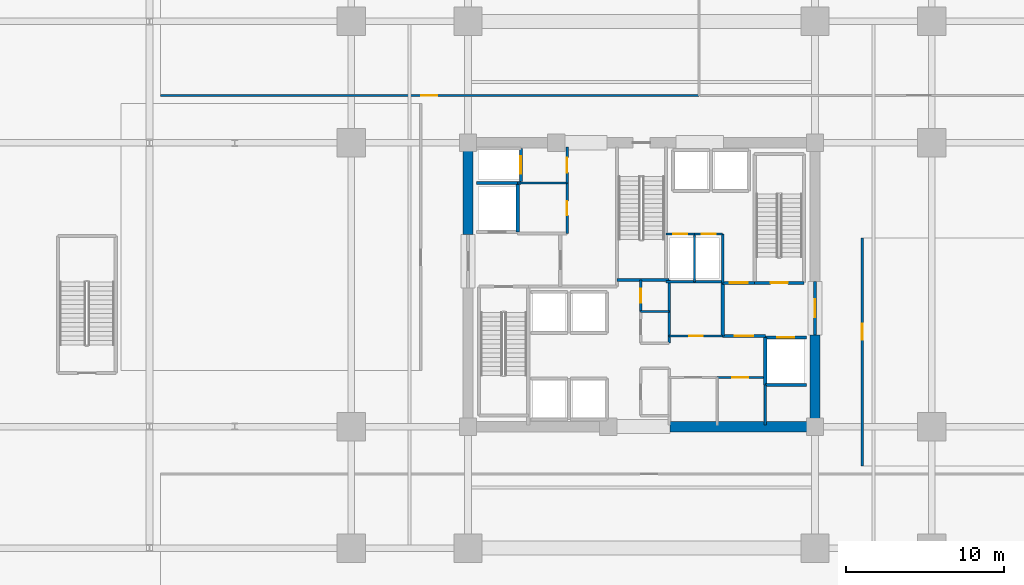
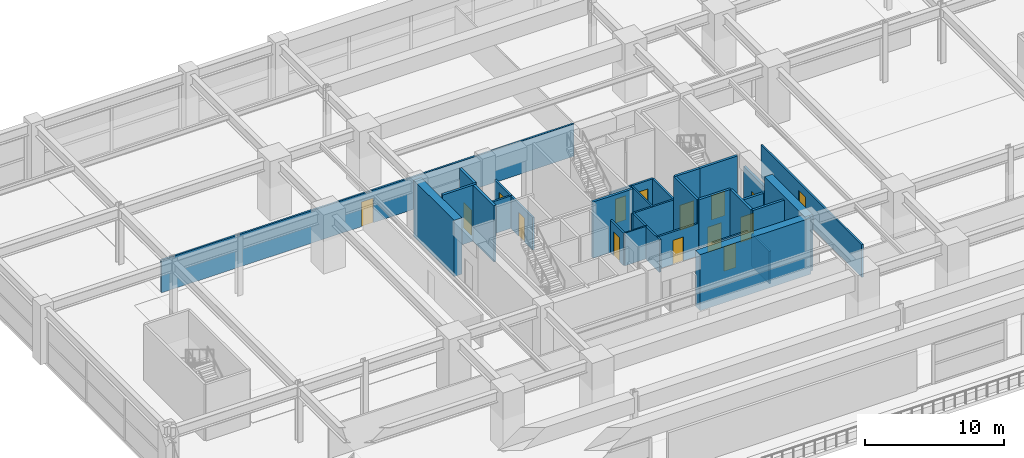
# One storey, part 37 of 45: 31 walls, 15 doors, 15 openings.
"""IFC4 building model written with IfcOpenShell, lengths in metres."""

from ifc_helpers import new_model, si_unit, direction, frame, frame_2d, origin, place, context, subcontext, project, spatial, rectangle, extrude, material, layer, layer_set, type_object, element, fill, save


model = new_model("IFC4")

# Units and contexts
model_context = context("Model", 3, precision=1e-05, world=origin(), true_north=direction((0.0, 1.0)))
body_context = subcontext(model_context, "Body", "Model", "MODEL_VIEW")
ifc_project = project(units=[si_unit("LENGTHUNIT", "METRE"), si_unit("AREAUNIT", "SQUARE_METRE"), si_unit("VOLUMEUNIT", "CUBIC_METRE"), si_unit("PLANEANGLEUNIT", "RADIAN"), si_unit("MASSUNIT", "GRAM", prefix="KILO")], contexts=[model_context])

# Site, building, storey
site_placement = place(None, origin())
site = spatial("IfcSite", under=ifc_project, at=site_placement, CompositionType="ELEMENT")
building_placement = place(site_placement, origin())
building = spatial("IfcBuilding", under=site, at=building_placement, Name="Kovane Verandah Tower", CompositionType="ELEMENT")
storey_placement = place(building_placement, frame((0.0, 0.0, 6.0)))
storey = spatial("IfcBuildingStorey", under=building, at=storey_placement, Name="L01", CompositionType="ELEMENT", Elevation=6.0)

# Wall
ifc_material_1 = material(Name="Fire-Rated Gypsum Stud Partition", Category="gypsum")
ifc_layer_1 = layer(ifc_material_1, 0.14990234375)
ifc_layer_set_1 = layer_set([ifc_layer_1], Name="Fire-Rated Gypsum Stud Partition")
wall_type_1 = type_object("IfcWallType", Name="WL-COR-150", PredefinedType="PARTITIONING", material=ifc_layer_set_1)
wall_1_placement = place(storey_placement, frame((41.760009765625, 23.800048828125, 0.0), z_axis=(0.0, 0.0, 1.0), x_axis=(0.0, 1.0, 0.0)))
element("IfcWall", 1, at=wall_1_placement, inside=storey, type_object=wall_type_1, Name="L01 Central Core Strip Upper East Wall", PredefinedType="PARTITIONING", context=body_context, shape_type="SweptSolid", body=[
    extrude(rectangle(XDim=4.0, YDim=0.14990234375, at=frame_2d((2.0, 0.0))), origin(), (0.0, 0.0, 1.0), 2.85009765625),
])

# Wall, opening, door
wall_2_placement = place(storey_placement, frame((39.949951171875, 25.800048828125, 0.0), z_axis=(0.0, 0.0, 1.0), x_axis=(0.0, 1.0, 0.0)))
wall_2 = element("IfcWall", 2, at=wall_2_placement, inside=storey, type_object=wall_type_1, Name="L01 Electrical Riser Room Partition", PredefinedType="PARTITIONING", context=body_context, shape_type="SweptSolid", body=[
    extrude(rectangle(XDim=2.0, YDim=0.14990234375, at=frame_2d((1.0, 0.0))), origin(), (0.0, 0.0, 1.0), 2.85009765625),
])
opening_1_placement = place(wall_2_placement, frame((0.56005859375, 0.0, 0.0)))
opening_1 = element("IfcOpeningElement", 3, at=opening_1_placement, cuts=wall_2, Name="Opening DR-L01-023", PredefinedType="OPENING", context=body_context, shape_type="SweptSolid", body=[
    extrude(rectangle(XDim=0.8798828125, YDim=2.10009765625, at=frame_2d((0.43994140625, 1.050048828125))), frame((0.0, 0.074951171875, 0.0), z_axis=(0.0, -1.0, 0.0), x_axis=(1.0, 0.0, 0.0)), (0.0, 0.0, 1.0), 0.14990234375),
])
ifc_material_2 = material(Name="Fire-Rated Steel Riser Access Door", Category="steel")
door_type_1 = type_object("IfcDoorType", Name="DR-RISER-880", OperationType="SINGLE_SWING_LEFT", PredefinedType="DOOR", material=ifc_material_2)
door_1_placement = place(opening_1_placement, origin())
door_1 = element("IfcDoor", 4, at=door_1_placement, inside=storey, type_object=door_type_1, Name="L01 Electrical Riser Room Door", OperationType="SINGLE_SWING_LEFT", OverallHeight=2.10009765625, OverallWidth=0.8798828125, PredefinedType="DOOR", context=body_context, shape_type="SweptSolid", body=[
    extrude(rectangle(XDim=0.8798828125, YDim=2.10009765625, at=frame_2d((0.43994140625, 1.050048828125))), frame((0.0, 0.02490234375, 0.0), z_axis=(0.0, -1.0, 0.0), x_axis=(1.0, 0.0, 0.0)), (0.0, 0.0, 1.0), 0.050048828125),
])
fill(opening_1, door_1)

# Wall
wall_3_placement = place(storey_placement, frame((32.14990234375, 33.949951171875, 0.0), z_axis=(0.0, 0.0, 1.0), x_axis=(1.0, 0.0, 0.0)))
element("IfcWall", 5, at=wall_3_placement, inside=storey, type_object=wall_type_1, Name="L01 Goods Lift Lobby South Wall", PredefinedType="PARTITIONING", context=body_context, shape_type="SweptSolid", body=[
    extrude(rectangle(XDim=3.130126953125, YDim=0.14990234375, at=frame_2d((1.56494140625, 0.0))), origin(), (0.0, 0.0, 1.0), 2.85009765625),
])

# Wall, opening, door
wall_4_placement = place(storey_placement, frame((35.280029296875, 33.949951171875, 0.0), z_axis=(0.0, 0.0, 1.0), x_axis=(0.0, 1.0, 0.0)))
wall_4 = element("IfcWall", 6, at=wall_4_placement, inside=storey, type_object=wall_type_1, Name="L01 Goods Lift Lobby East Fire Partition", PredefinedType="PARTITIONING", context=body_context, shape_type="SweptSolid", body=[
    extrude(rectangle(XDim=2.27001953125, YDim=0.14990234375, at=frame_2d((1.135009765625, 0.0))), origin(), (0.0, 0.0, 1.0), 2.85009765625),
])
opening_2_placement = place(wall_4_placement, frame((0.659912109375, 0.0, 0.0)))
opening_2 = element("IfcOpeningElement", 7, at=opening_2_placement, cuts=wall_4, Name="Opening DR-L01-006", PredefinedType="OPENING", context=body_context, shape_type="SweptSolid", body=[
    extrude(rectangle(XDim=0.949951171875, YDim=2.14990234375, at=frame_2d((0.47509765625, 1.074951171875))), frame((0.0, 0.074951171875, 0.0), z_axis=(0.0, -1.0, 0.0), x_axis=(1.0, 0.0, 0.0)), (0.0, 0.0, 1.0), 0.14990234375),
])
ifc_material_3 = material(Name="Fire-Rated Steel Refuge and Lobby Door", Category="steel")
door_type_2 = type_object("IfcDoorType", Name="DR-FIRE-950", OperationType="SINGLE_SWING_LEFT", PredefinedType="DOOR", material=ifc_material_3)
door_2_placement = place(opening_2_placement, origin())
door_2 = element("IfcDoor", 8, at=door_2_placement, inside=storey, type_object=door_type_2, Name="L01 Goods Lift Lobby Fire Door", OperationType="SINGLE_SWING_RIGHT", OverallHeight=2.14990234375, OverallWidth=0.949951171875, PredefinedType="DOOR", context=body_context, shape_type="SweptSolid", body=[
    extrude(rectangle(XDim=0.949951171875, YDim=2.14990234375, at=frame_2d((0.47509765625, 1.074951171875))), frame((0.0, 0.02490234375, 0.0), z_axis=(0.0, -1.0, 0.0), x_axis=(1.0, 0.0, 0.0)), (0.0, 0.0, 1.0), 0.050048828125),
])
fill(opening_2, door_2)

wall_5_placement = place(storey_placement, frame((35.280029296875, 30.75, 0.0), z_axis=(0.0, 0.0, 1.0), x_axis=(0.0, 1.0, 0.0)))
wall_5 = element("IfcWall", 9, at=wall_5_placement, inside=storey, type_object=wall_type_1, Name="L01 Accessible Unisex Toilet Partition", PredefinedType="PARTITIONING", context=body_context, shape_type="SweptSolid", body=[
    extrude(rectangle(XDim=3.199951171875, YDim=0.14990234375, at=frame_2d((1.60009765625, 0.0))), origin(), (0.0, 0.0, 1.0), 2.85009765625),
])
opening_3_placement = place(wall_5_placement, frame((1.14990234375, 0.0, 0.0)))
opening_3 = element("IfcOpeningElement", 10, at=opening_3_placement, cuts=wall_5, Name="Opening DR-L01-025", PredefinedType="OPENING", context=body_context, shape_type="SweptSolid", body=[
    extrude(rectangle(XDim=0.89990234375, YDim=2.10009765625, at=frame_2d((0.449951171875, 1.050048828125))), frame((0.0, 0.074951171875, 0.0), z_axis=(0.0, -1.0, 0.0), x_axis=(1.0, 0.0, 0.0)), (0.0, 0.0, 1.0), 0.14990234375),
])
ifc_material_4 = material(Name="Moisture-Resistant Laminate Washroom Door", Category="wood")
door_type_3 = type_object("IfcDoorType", Name="DR-WC-900", OperationType="SINGLE_SWING_LEFT", PredefinedType="DOOR", material=ifc_material_4)
door_3_placement = place(opening_3_placement, origin())
door_3 = element("IfcDoor", 11, at=door_3_placement, inside=storey, type_object=door_type_3, Name="L01 Accessible Unisex Toilet Door", OperationType="SINGLE_SWING_LEFT", OverallHeight=2.10009765625, OverallWidth=0.89990234375, PredefinedType="DOOR", context=body_context, shape_type="SweptSolid", body=[
    extrude(rectangle(XDim=0.89990234375, YDim=2.10009765625, at=frame_2d((0.449951171875, 1.050048828125))), frame((0.0, 0.02490234375, 0.0), z_axis=(0.0, -1.0, 0.0), x_axis=(1.0, 0.0, 0.0)), (0.0, 0.0, 1.0), 0.050048828125),
])
fill(opening_3, door_3)

# Walls
wall_6_placement = place(storey_placement, frame((41.56005859375, 27.679931640625, 0.0), z_axis=(0.0, 0.0, 1.0), x_axis=(1.0, 0.0, 0.0)))
element("IfcWall", 12, at=wall_6_placement, inside=storey, type_object=wall_type_1, Name="L01 East Core Service Riser South Wall", PredefinedType="PARTITIONING", context=body_context, shape_type="SweptSolid", body=[
    extrude(rectangle(XDim=3.58984375, YDim=0.14990234375, at=frame_2d((1.794921875, 0.0))), origin(), (0.0, 0.0, 1.0), 2.85009765625),
])
wall_7_placement = place(storey_placement, frame((47.85009765625, 18.60009765625, 0.0), z_axis=(0.0, 0.0, 1.0), x_axis=(0.0, 1.0, 0.0)))
element("IfcWall", 13, at=wall_7_placement, inside=storey, type_object=wall_type_1, Name="L01 East Core Support East Wall", PredefinedType="PARTITIONING", context=body_context, shape_type="SweptSolid", body=[
    extrude(rectangle(XDim=2.539794921875, YDim=0.14990234375, at=frame_2d((1.27001953125, 0.0))), origin(), (0.0, 0.0, 1.0), 2.85009765625),
])

# Wall, opening, door
wall_8_placement = place(storey_placement, frame((44.800048828125, 21.6201171875, 0.0), z_axis=(0.0, 0.0, 1.0), x_axis=(1.0, 0.0, 0.0)))
wall_8 = element("IfcWall", 14, at=wall_8_placement, inside=storey, type_object=wall_type_1, Name="L01 East IT Server Room Partition", PredefinedType="PARTITIONING", context=body_context, shape_type="SweptSolid", body=[
    extrude(rectangle(XDim=2.93994140625, YDim=0.14990234375, at=frame_2d((1.469970703125, 0.0))), origin(), (0.0, 0.0, 1.0), 2.85009765625),
])
opening_4_placement = place(wall_8_placement, frame((0.969970703125, 0.0, 0.0)))
opening_4 = element("IfcOpeningElement", 15, at=opening_4_placement, cuts=wall_8, Name="Opening DR-L01-016", PredefinedType="OPENING", context=body_context, shape_type="SweptSolid", body=[
    extrude(rectangle(XDim=1.0, YDim=2.14990234375, at=frame_2d((0.5, 1.074951171875))), frame((0.0, 0.074951171875, 0.0), z_axis=(0.0, -1.0, 0.0), x_axis=(1.0, 0.0, 0.0)), (0.0, 0.0, 1.0), 0.14990234375),
])
ifc_material_5 = material(Name="FSC Spotted-Gum Timber Fire-Rated Office Door", Category="wood")
door_type_4 = type_object("IfcDoorType", Name="DR-OFF-1000", OperationType="SINGLE_SWING_LEFT", PredefinedType="DOOR", material=ifc_material_5)
door_4_placement = place(opening_4_placement, origin())
door_4 = element("IfcDoor", 16, at=door_4_placement, inside=storey, type_object=door_type_4, Name="L01 East IT Server Room Door", OperationType="SINGLE_SWING_LEFT", OverallHeight=2.14990234375, OverallWidth=1.0, PredefinedType="DOOR", context=body_context, shape_type="SweptSolid", body=[
    extrude(rectangle(XDim=1.0, YDim=2.14990234375, at=frame_2d((0.5, 1.074951171875))), frame((0.0, 0.02490234375, 0.0), z_axis=(0.0, -1.0, 0.0), x_axis=(1.0, 0.0, 0.0)), (0.0, 0.0, 1.0), 0.050048828125),
])
fill(opening_4, door_4)

wall_9_placement = place(storey_placement, frame((41.760009765625, 24.25, 0.0), z_axis=(0.0, 0.0, 1.0), x_axis=(1.0, 0.0, 0.0)))
wall_9 = element("IfcWall", 17, at=wall_9_placement, inside=storey, type_object=wall_type_1, Name="L01 Cleaner Store Partition", PredefinedType="PARTITIONING", context=body_context, shape_type="SweptSolid", body=[
    extrude(rectangle(XDim=3.389892578125, YDim=0.14990234375, at=frame_2d((1.69482421875, 0.0))), origin(), (0.0, 0.0, 1.0), 2.85009765625),
])
opening_5_placement = place(wall_9_placement, frame((1.2548828125, 0.0, 0.0)))
opening_5 = element("IfcOpeningElement", 18, at=opening_5_placement, cuts=wall_9, Name="Opening DR-L01-017", PredefinedType="OPENING", context=body_context, shape_type="SweptSolid", body=[
    extrude(rectangle(XDim=0.8798828125, YDim=2.10009765625, at=frame_2d((0.43994140625, 1.050048828125))), frame((0.0, 0.074951171875, 0.0), z_axis=(0.0, -1.0, 0.0), x_axis=(1.0, 0.0, 0.0)), (0.0, 0.0, 1.0), 0.14990234375),
])
door_5_placement = place(opening_5_placement, origin())
door_5 = element("IfcDoor", 19, at=door_5_placement, inside=storey, type_object=door_type_1, Name="L01 Cleaner Store Door", OperationType="SINGLE_SWING_RIGHT", OverallHeight=2.10009765625, OverallWidth=0.8798828125, PredefinedType="DOOR", context=body_context, shape_type="SweptSolid", body=[
    extrude(rectangle(XDim=0.8798828125, YDim=2.10009765625, at=frame_2d((0.43994140625, 1.050048828125))), frame((0.0, 0.02490234375, 0.0), z_axis=(0.0, -1.0, 0.0), x_axis=(1.0, 0.0, 0.0)), (0.0, 0.0, 1.0), 0.050048828125),
])
fill(opening_5, door_5)

# Wall
wall_10_placement = place(storey_placement, frame((45.14990234375, 27.6201171875, 0.0), z_axis=(0.0, 0.0, 1.0), x_axis=(0.0, 1.0, 0.0)))
element("IfcWall", 20, at=wall_10_placement, inside=storey, type_object=wall_type_1, Name="L01 East Core Service Riser East Wall", PredefinedType="PARTITIONING", context=body_context, shape_type="SweptSolid", body=[
    extrude(rectangle(XDim=3.099853515625, YDim=0.14990234375, at=frame_2d((1.5498046875, 0.0))), origin(), (0.0, 0.0, 1.0), 2.85009765625),
])

# Wall, opening, door
wall_11_placement = place(storey_placement, frame((41.56005859375, 30.719970703125, 0.0), z_axis=(0.0, 0.0, 1.0), x_axis=(1.0, 0.0, 0.0)))
wall_11 = element("IfcWall", 21, at=wall_11_placement, inside=storey, type_object=wall_type_1, Name="L01 Chilled Water Riser Room Partition", PredefinedType="PARTITIONING", context=body_context, shape_type="SweptSolid", body=[
    extrude(rectangle(XDim=1.800048828125, YDim=0.14990234375, at=frame_2d((0.89990234375, 0.0))), origin(), (0.0, 0.0, 1.0), 2.85009765625),
])
opening_6_placement = place(wall_11_placement, frame((0.4599609375, 0.0, 0.0)))
opening_6 = element("IfcOpeningElement", 22, at=opening_6_placement, cuts=wall_11, Name="Opening DR-L01-018", PredefinedType="OPENING", context=body_context, shape_type="SweptSolid", body=[
    extrude(rectangle(XDim=0.8798828125, YDim=2.10009765625, at=frame_2d((0.43994140625, 1.050048828125))), frame((0.0, 0.074951171875, 0.0), z_axis=(0.0, -1.0, 0.0), x_axis=(1.0, 0.0, 0.0)), (0.0, 0.0, 1.0), 0.14990234375),
])
door_6_placement = place(opening_6_placement, origin())
door_6 = element("IfcDoor", 23, at=door_6_placement, inside=storey, type_object=door_type_1, Name="L01 Chilled Water Riser Room Door", OperationType="SINGLE_SWING_LEFT", OverallHeight=2.10009765625, OverallWidth=0.8798828125, PredefinedType="DOOR", context=body_context, shape_type="SweptSolid", body=[
    extrude(rectangle(XDim=0.8798828125, YDim=2.10009765625, at=frame_2d((0.43994140625, 1.050048828125))), frame((0.0, 0.02490234375, 0.0), z_axis=(0.0, -1.0, 0.0), x_axis=(1.0, 0.0, 0.0)), (0.0, 0.0, 1.0), 0.050048828125),
])
fill(opening_6, door_6)

wall_12_placement = place(storey_placement, frame((43.360107421875, 30.719970703125, 0.0), z_axis=(0.0, 0.0, 1.0), x_axis=(1.0, 0.0, 0.0)))
wall_12 = element("IfcWall", 24, at=wall_12_placement, inside=storey, type_object=wall_type_1, Name="L01 Smoke Extract Duct Room Partition", PredefinedType="PARTITIONING", context=body_context, shape_type="SweptSolid", body=[
    extrude(rectangle(XDim=1.789794921875, YDim=0.14990234375, at=frame_2d((0.89501953125, 0.0))), origin(), (0.0, 0.0, 1.0), 2.85009765625),
])
opening_7_placement = place(wall_12_placement, frame((0.455078125, 0.0, 0.0)))
opening_7 = element("IfcOpeningElement", 25, at=opening_7_placement, cuts=wall_12, Name="Opening DR-L01-019", PredefinedType="OPENING", context=body_context, shape_type="SweptSolid", body=[
    extrude(rectangle(XDim=0.8798828125, YDim=2.10009765625, at=frame_2d((0.43994140625, 1.050048828125))), frame((0.0, 0.074951171875, 0.0), z_axis=(0.0, -1.0, 0.0), x_axis=(1.0, 0.0, 0.0)), (0.0, 0.0, 1.0), 0.14990234375),
])
door_7_placement = place(opening_7_placement, origin())
door_7 = element("IfcDoor", 26, at=door_7_placement, inside=storey, type_object=door_type_1, Name="L01 Smoke Extract Duct Room Door", OperationType="SINGLE_SWING_RIGHT", OverallHeight=2.10009765625, OverallWidth=0.8798828125, PredefinedType="DOOR", context=body_context, shape_type="SweptSolid", body=[
    extrude(rectangle(XDim=0.8798828125, YDim=2.10009765625, at=frame_2d((0.43994140625, 1.050048828125))), frame((0.0, 0.02490234375, 0.0), z_axis=(0.0, -1.0, 0.0), x_axis=(1.0, 0.0, 0.0)), (0.0, 0.0, 1.0), 0.050048828125),
])
fill(opening_7, door_7)

wall_13_placement = place(storey_placement, frame((9.5, 39.5, 0.0), z_axis=(0.0, 0.0, 1.0), x_axis=(1.0, 0.0, 0.0)))
wall_13 = element("IfcWall", 27, at=wall_13_placement, inside=storey, type_object=wall_type_1, Name="L01 North Banking Hall Corridor Partition", PredefinedType="PARTITIONING", context=body_context, shape_type="SweptSolid", body=[
    extrude(rectangle(XDim=34.14990234375, YDim=0.14990234375, at=frame_2d((17.074951171875, 0.0))), origin(), (0.0, 0.0, 1.0), 2.85009765625),
])
opening_8_placement = place(wall_13_placement, frame((16.5400390625, 0.0, 0.0)))
opening_8 = element("IfcOpeningElement", 28, at=opening_8_placement, cuts=wall_13, Name="Opening DR-L01-020", PredefinedType="OPENING", context=body_context, shape_type="SweptSolid", body=[
    extrude(rectangle(XDim=1.0, YDim=2.14990234375, at=frame_2d((0.5, 1.074951171875))), frame((0.0, 0.074951171875, 0.0), z_axis=(0.0, -1.0, 0.0), x_axis=(1.0, 0.0, 0.0)), (0.0, 0.0, 1.0), 0.14990234375),
])
door_8_placement = place(opening_8_placement, origin())
door_8 = element("IfcDoor", 29, at=door_8_placement, inside=storey, type_object=door_type_4, Name="L01 North Banking Hall Entrance Door", OperationType="SINGLE_SWING_RIGHT", OverallHeight=2.14990234375, OverallWidth=1.0, PredefinedType="DOOR", context=body_context, shape_type="SweptSolid", body=[
    extrude(rectangle(XDim=1.0, YDim=2.14990234375, at=frame_2d((0.5, 1.074951171875))), frame((0.0, 0.02490234375, 0.0), z_axis=(0.0, -1.0, 0.0), x_axis=(1.0, 0.0, 0.0)), (0.0, 0.0, 1.0), 0.050048828125),
])
fill(opening_8, door_8)

wall_14_placement = place(storey_placement, frame((54.0, 16.0, 0.0), z_axis=(0.0, 0.0, 1.0), x_axis=(0.0, 1.0, 0.0)))
wall_14 = element("IfcWall", 30, at=wall_14_placement, inside=storey, type_object=wall_type_1, Name="L01 East Tenant Business Lounge Corridor Partition", PredefinedType="PARTITIONING", context=body_context, shape_type="SweptSolid", body=[
    extrude(rectangle(XDim=14.449951171875, YDim=0.14990234375, at=frame_2d((7.22509765625, 0.0))), origin(), (0.0, 0.0, 1.0), 2.85009765625),
])
opening_9_placement = place(wall_14_placement, frame((8.02490234375, 0.0, 0.0)))
opening_9 = element("IfcOpeningElement", 31, at=opening_9_placement, cuts=wall_14, Name="Opening DR-L01-014", PredefinedType="OPENING", context=body_context, shape_type="SweptSolid", body=[
    extrude(rectangle(XDim=1.0, YDim=2.14990234375, at=frame_2d((0.5, 1.074951171875))), frame((0.0, 0.074951171875, 0.0), z_axis=(0.0, -1.0, 0.0), x_axis=(1.0, 0.0, 0.0)), (0.0, 0.0, 1.0), 0.14990234375),
])
door_9_placement = place(opening_9_placement, origin())
door_9 = element("IfcDoor", 32, at=door_9_placement, inside=storey, type_object=door_type_4, Name="L01 East Tenant Business Lounge Entrance Door", OperationType="SINGLE_SWING_LEFT", OverallHeight=2.14990234375, OverallWidth=1.0, PredefinedType="DOOR", context=body_context, shape_type="SweptSolid", body=[
    extrude(rectangle(XDim=1.0, YDim=2.14990234375, at=frame_2d((0.5, 1.074951171875))), frame((0.0, 0.02490234375, 0.0), z_axis=(0.0, -1.0, 0.0), x_axis=(1.0, 0.0, 0.0)), (0.0, 0.0, 1.0), 0.050048828125),
])
fill(opening_9, door_9)

# Walls
ifc_material_6 = material(Name="Concrete C80/95", Category="concrete")
ifc_layer_2 = layer(ifc_material_6, 0.64990234375)
ifc_layer_set_2 = layer_set([ifc_layer_2], Name="Concrete C80/95")
wall_type_2 = type_object("IfcWallType", Name="WL-CORE-650", PredefinedType="SHEAR", material=ifc_layer_set_2)
wall_15_placement = place(storey_placement, frame((41.800048828125, 18.5, 0.0), z_axis=(0.0, 0.0, 1.0), x_axis=(1.0, 0.0, 0.0)))
element("IfcWall", 33, at=wall_15_placement, inside=storey, type_object=wall_type_2, Name="L01 Core Shear Wall CS-2", PredefinedType="SHEAR", context=body_context, shape_type="SweptSolid", body=[
    extrude(rectangle(XDim=9.199951171875, YDim=0.64990234375, at=frame_2d((4.60009765625, 0.0))), origin(), (0.0, 0.0, 1.0), 4.919921875),
])
for number, where, z_axis, x_axis, name in (
    (34, (29.0, 30.699951171875, 0.0), (0.0, 0.0, 1.0), (0.0, 1.0, 0.0), "L01 Core Shear Wall CW-2"),
    (35, (51.0, 18.5, 0.0), (0.0, 0.0, 1.0), (0.0, 1.0, 0.0), "L01 Core Shear Wall CE-1"),
):
    element("IfcWall", number, at=place(storey_placement, frame(where, z_axis=z_axis, x_axis=x_axis)), inside=storey, type_object=wall_type_2, Name=name, PredefinedType="SHEAR", context=body_context, shape_type="SweptSolid", body=[
        extrude(rectangle(XDim=5.800048828125, YDim=0.64990234375, at=frame_2d((2.89990234375, 0.0))), origin(), (0.0, 0.0, 1.0), 4.919921875),
    ])
ifc_material_7 = material(Name="Concrete C45/55 Fire Wall", Category="concrete")
ifc_layer_3 = layer(ifc_material_7, 0.199951171875)
ifc_layer_set_3 = layer_set([ifc_layer_3], Name="Concrete C45/55 Fire Wall")
wall_type_3 = type_object("IfcWallType", Name="WL-FFL-200", PredefinedType="PARTITIONING", material=ifc_layer_set_3)
wall_16_placement = place(storey_placement, frame((45.14990234375, 24.25, 0.0), z_axis=(0.0, 0.0, 1.0), x_axis=(0.0, 1.0, 0.0)))
element("IfcWall", 36, at=wall_16_placement, inside=storey, type_object=wall_type_3, Name="L01 East Firefighting Lobby West Fire Wall", PredefinedType="PARTITIONING", context=body_context, shape_type="SweptSolid", body=[
    extrude(rectangle(XDim=3.3701171875, YDim=0.199951171875, at=frame_2d((1.68505859375, 0.0))), origin(), (0.0, 0.0, 1.0), 4.919921875),
])

# Wall, opening, door
wall_17_placement = place(storey_placement, frame((45.14990234375, 24.25, 0.0), z_axis=(0.0, 0.0, 1.0), x_axis=(1.0, 0.0, 0.0)))
wall_17 = element("IfcWall", 37, at=wall_17_placement, inside=storey, type_object=wall_type_3, Name="W-L01-FFLE-S", PredefinedType="PARTITIONING", context=body_context, shape_type="SweptSolid", body=[
    extrude(rectangle(XDim=2.7001953125, YDim=0.199951171875, at=frame_2d((1.35009765625, 0.0))), origin(), (0.0, 0.0, 1.0), 4.919921875),
])
opening_10_placement = place(wall_17_placement, frame((0.77490234375, 0.0, 0.0)))
opening_10 = element("IfcOpeningElement", 38, at=opening_10_placement, cuts=wall_17, Name="Opening DR-L01-001", PredefinedType="OPENING", context=body_context, shape_type="SweptSolid", body=[
    extrude(rectangle(XDim=1.14990234375, YDim=2.199951171875, at=frame_2d((0.574951171875, 1.10009765625))), frame((0.0, 0.10009765625, 0.0), z_axis=(0.0, -1.0, 0.0), x_axis=(1.0, 0.0, 0.0)), (0.0, 0.0, 1.0), 0.199951171875),
])
ifc_material_8 = material(Name="Smoke-Sealed Firefighting Lobby Door", Category="steel")
door_type_5 = type_object("IfcDoorType", Name="DR-FFL-1150", OperationType="SINGLE_SWING_LEFT", PredefinedType="DOOR", material=ifc_material_8)
door_10_placement = place(opening_10_placement, origin())
door_10 = element("IfcDoor", 39, at=door_10_placement, inside=storey, type_object=door_type_5, Name="L01 East Firefighting Lobby Inner Door", OperationType="SINGLE_SWING_RIGHT", OverallHeight=2.199951171875, OverallWidth=1.14990234375, PredefinedType="DOOR", context=body_context, shape_type="SweptSolid", body=[
    extrude(rectangle(XDim=1.14990234375, YDim=2.199951171875, at=frame_2d((0.574951171875, 1.10009765625))), frame((0.0, 0.02490234375, 0.0), z_axis=(0.0, -1.0, 0.0), x_axis=(1.0, 0.0, 0.0)), (0.0, 0.0, 1.0), 0.050048828125),
])
fill(opening_10, door_10)

wall_18_placement = place(storey_placement, frame((45.14990234375, 27.6201171875, 0.0), z_axis=(0.0, 0.0, 1.0), x_axis=(1.0, 0.0, 0.0)))
wall_18 = element("IfcWall", 40, at=wall_18_placement, inside=storey, type_object=wall_type_3, Name="W-L01-FFLE-N", PredefinedType="PARTITIONING", context=body_context, shape_type="SweptSolid", body=[
    extrude(rectangle(XDim=2.030029296875, YDim=0.199951171875, at=frame_2d((1.01513671875, 0.0))), origin(), (0.0, 0.0, 1.0), 4.919921875),
])
opening_11_placement = place(wall_18_placement, frame((0.43994140625, 0.0, 0.0)))
opening_11 = element("IfcOpeningElement", 41, at=opening_11_placement, cuts=wall_18, Name="Opening DR-L01-002", PredefinedType="OPENING", context=body_context, shape_type="SweptSolid", body=[
    extrude(rectangle(XDim=1.14990234375, YDim=2.199951171875, at=frame_2d((0.574951171875, 1.10009765625))), frame((0.0, 0.10009765625, 0.0), z_axis=(0.0, -1.0, 0.0), x_axis=(1.0, 0.0, 0.0)), (0.0, 0.0, 1.0), 0.199951171875),
])
door_11_placement = place(opening_11_placement, origin())
door_11 = element("IfcDoor", 42, at=door_11_placement, inside=storey, type_object=door_type_5, Name="L01 East Firefighting Lobby Shuttle Link Door", OperationType="SINGLE_SWING_LEFT", OverallHeight=2.199951171875, OverallWidth=1.14990234375, PredefinedType="DOOR", context=body_context, shape_type="SweptSolid", body=[
    extrude(rectangle(XDim=1.14990234375, YDim=2.199951171875, at=frame_2d((0.574951171875, 1.10009765625))), frame((0.0, 0.02490234375, 0.0), z_axis=(0.0, -1.0, 0.0), x_axis=(1.0, 0.0, 0.0)), (0.0, 0.0, 1.0), 0.050048828125),
])
fill(opening_11, door_11)

wall_19_placement = place(storey_placement, frame((51.0, 24.300048828125, 0.0), z_axis=(0.0, 0.0, 1.0), x_axis=(0.0, 1.0, 0.0)))
wall_19 = element("IfcWall", 43, at=wall_19_placement, inside=storey, type_object=wall_type_3, Name="W-L01-FFLE-OUT", PredefinedType="PARTITIONING", context=body_context, shape_type="SweptSolid", body=[
    extrude(rectangle(XDim=3.39990234375, YDim=0.199951171875, at=frame_2d((1.699951171875, 0.0))), origin(), (0.0, 0.0, 1.0), 3.699951171875),
])
opening_12_placement = place(wall_19_placement, frame((1.125, 0.0, 0.0)))
opening_12 = element("IfcOpeningElement", 44, at=opening_12_placement, cuts=wall_19, Name="Opening DR-L01-003", PredefinedType="OPENING", context=body_context, shape_type="SweptSolid", body=[
    extrude(rectangle(XDim=1.14990234375, YDim=2.199951171875, at=frame_2d((0.574951171875, 1.10009765625))), frame((0.0, 0.10009765625, 0.0), z_axis=(0.0, -1.0, 0.0), x_axis=(1.0, 0.0, 0.0)), (0.0, 0.0, 1.0), 0.199951171875),
])
door_12_placement = place(opening_12_placement, origin())
door_12 = element("IfcDoor", 45, at=door_12_placement, inside=storey, type_object=door_type_5, Name="L01 East Firefighting Lobby Corridor Door", OperationType="SINGLE_SWING_LEFT", OverallHeight=2.199951171875, OverallWidth=1.14990234375, PredefinedType="DOOR", context=body_context, shape_type="SweptSolid", body=[
    extrude(rectangle(XDim=1.14990234375, YDim=2.199951171875, at=frame_2d((0.574951171875, 1.10009765625))), frame((0.0, 0.02490234375, 0.0), z_axis=(0.0, -1.0, 0.0), x_axis=(1.0, 0.0, 0.0)), (0.0, 0.0, 1.0), 0.050048828125),
])
fill(opening_12, door_12)

# Walls
ifc_material_9 = material(Name="Concrete C45/55 Lift Shaft Wall", Category="concrete")
ifc_layer_4 = layer(ifc_material_9, 0.199951171875)
ifc_layer_set_4 = layer_set([ifc_layer_4], Name="Concrete C45/55 Lift Shaft Wall")
wall_type_4 = type_object("IfcWallType", Name="WL-LIFT-200", PredefinedType="SOLIDWALL", material=ifc_layer_set_4)
wall_20_placement = place(storey_placement, frame((29.550048828125, 33.949951171875, 0.0), z_axis=(0.0, 0.0, 1.0), x_axis=(1.0, 0.0, 0.0)))
element("IfcWall", 46, at=wall_20_placement, inside=storey, type_object=wall_type_4, Name="L01 Lift FL-01 and GL-01 Shared Shaft Wall", PredefinedType="SOLIDWALL", context=body_context, shape_type="SweptSolid", body=[
    extrude(rectangle(XDim=2.800048828125, YDim=0.199951171875, at=frame_2d((1.39990234375, 0.0))), origin(), (0.0, 0.0, 1.0), 4.919921875),
])
wall_21_placement = place(storey_placement, frame((32.14990234375, 30.85009765625, 0.0), z_axis=(0.0, 0.0, 1.0), x_axis=(0.0, 1.0, 0.0)))
element("IfcWall", 47, at=wall_21_placement, inside=storey, type_object=wall_type_4, Name="L01 Lift FL-01 E Shaft Wall", PredefinedType="SOLIDWALL", context=body_context, shape_type="SweptSolid", body=[
    extrude(rectangle(XDim=3.0, YDim=0.199951171875, at=frame_2d((1.5, 0.0))), origin(), (0.0, 0.0, 1.0), 4.919921875),
])
wall_22_placement = place(storey_placement, frame((47.85009765625, 21.14990234375, 0.0), z_axis=(0.0, 0.0, 1.0), x_axis=(1.0, 0.0, 0.0)))
element("IfcWall", 48, at=wall_22_placement, inside=storey, type_object=wall_type_4, Name="L01 Lift FL-02 S Shaft Wall", PredefinedType="SOLIDWALL", context=body_context, shape_type="SweptSolid", body=[
    extrude(rectangle(XDim=2.599853515625, YDim=0.199951171875, at=frame_2d((1.2998046875, 0.0))), origin(), (0.0, 0.0, 1.0), 4.919921875),
])

# Wall, opening, door
wall_23_placement = place(storey_placement, frame((50.449951171875, 24.14990234375, 0.0), z_axis=(0.0, 0.0, 1.0), x_axis=(-1.0, 0.0, 0.0)))
wall_23 = element("IfcWall", 49, at=wall_23_placement, inside=storey, type_object=wall_type_4, Name="L01 Lift FL-02 N Shaft Wall", PredefinedType="SOLIDWALL", context=body_context, shape_type="SweptSolid", body=[
    extrude(rectangle(XDim=2.599853515625, YDim=0.199951171875, at=frame_2d((1.2998046875, 0.0))), origin(), (0.0, 0.0, 1.0), 3.699951171875),
])
opening_13_placement = place(wall_23_placement, frame((0.75, 0.0, 0.0)))
opening_13 = element("IfcOpeningElement", 50, at=opening_13_placement, cuts=wall_23, Name="Opening LD-L01-002", PredefinedType="OPENING", context=body_context, shape_type="SweptSolid", body=[
    extrude(rectangle(XDim=1.10009765625, YDim=2.199951171875, at=frame_2d((0.550048828125, 1.10009765625))), frame((0.0, 0.10009765625, 0.0), z_axis=(0.0, -1.0, 0.0), x_axis=(1.0, 0.0, 0.0)), (0.0, 0.0, 1.0), 0.199951171875),
])
ifc_material_10 = material(Name="Brushed Stainless Steel Sliding Lift Landing Door", Category="steel")
door_type_6 = type_object("IfcDoorType", Name="DR-LIFT-1100", OperationType="SLIDING_TO_RIGHT", PredefinedType="DOOR", material=ifc_material_10)
door_13_placement = place(opening_13_placement, origin())
door_13 = element("IfcDoor", 51, at=door_13_placement, inside=storey, type_object=door_type_6, Name="L01 Lift FL-02 Sliding Landing Door", OperationType="SLIDING_TO_RIGHT", OverallHeight=2.199951171875, OverallWidth=1.10009765625, PredefinedType="DOOR", context=body_context, shape_type="SweptSolid", body=[
    extrude(rectangle(XDim=1.10009765625, YDim=2.199951171875, at=frame_2d((0.550048828125, 1.10009765625))), frame((0.0, 0.02490234375, 0.0), z_axis=(0.0, -1.0, 0.0), x_axis=(1.0, 0.0, 0.0)), (0.0, 0.0, 1.0), 0.050048828125),
])
fill(opening_13, door_13)

# Wall
wall_24_placement = place(storey_placement, frame((47.85009765625, 24.14990234375, 0.0), z_axis=(0.0, 0.0, 1.0), x_axis=(0.0, -1.0, 0.0)))
element("IfcWall", 52, at=wall_24_placement, inside=storey, type_object=wall_type_4, Name="L01 Lift FL-02 W Shaft Wall", PredefinedType="SOLIDWALL", context=body_context, shape_type="SweptSolid", body=[
    extrude(rectangle(XDim=3.0, YDim=0.199951171875, at=frame_2d((1.5, 0.0))), origin(), (0.0, 0.0, 1.0), 4.919921875),
])

# Wall, opening, door
wall_25_placement = place(storey_placement, frame((32.35009765625, 34.050048828125, 0.0), z_axis=(0.0, 0.0, 1.0), x_axis=(0.0, 1.0, 0.0)))
wall_25 = element("IfcWall", 53, at=wall_25_placement, inside=storey, type_object=wall_type_4, Name="L01 Lift GL-01 E Shaft Wall", PredefinedType="SOLIDWALL", context=body_context, shape_type="SweptSolid", body=[
    extrude(rectangle(XDim=2.099853515625, YDim=0.199951171875, at=frame_2d((1.0498046875, 0.0))), origin(), (0.0, 0.0, 1.0), 4.919921875),
])
opening_14_placement = place(wall_25_placement, frame((0.5, 0.0, 0.0)))
opening_14 = element("IfcOpeningElement", 54, at=opening_14_placement, cuts=wall_25, Name="Opening LD-L01-003", PredefinedType="OPENING", context=body_context, shape_type="SweptSolid", body=[
    extrude(rectangle(XDim=1.10009765625, YDim=2.199951171875, at=frame_2d((0.550048828125, 1.10009765625))), frame((0.0, 0.10009765625, 0.0), z_axis=(0.0, -1.0, 0.0), x_axis=(1.0, 0.0, 0.0)), (0.0, 0.0, 1.0), 0.199951171875),
])
door_14_placement = place(opening_14_placement, origin())
door_14 = element("IfcDoor", 55, at=door_14_placement, inside=storey, type_object=door_type_6, Name="L01 Lift GL-01 Sliding Landing Door", OperationType="SLIDING_TO_RIGHT", OverallHeight=2.199951171875, OverallWidth=1.10009765625, PredefinedType="DOOR", context=body_context, shape_type="SweptSolid", body=[
    extrude(rectangle(XDim=1.10009765625, YDim=2.199951171875, at=frame_2d((0.550048828125, 1.10009765625))), frame((0.0, 0.02490234375, 0.0), z_axis=(0.0, -1.0, 0.0), x_axis=(1.0, 0.0, 0.0)), (0.0, 0.0, 1.0), 0.050048828125),
])
fill(opening_14, door_14)

# Walls
ifc_material_11 = material(Name="Acoustic Fire-Rated Gypsum Partition", Category="gypsum")
ifc_layer_5 = layer(ifc_material_11, 0.1201171875)
ifc_layer_set_5 = layer_set([ifc_layer_5], Name="Acoustic Fire-Rated Gypsum Partition")
wall_type_5 = type_object("IfcWallType", Name="WL-PART-120", PredefinedType="PARTITIONING", material=ifc_layer_set_5)
wall_26_placement = place(storey_placement, frame((39.949951171875, 25.800048828125, 0.0), z_axis=(0.0, 0.0, 1.0), x_axis=(1.0, 0.0, 0.0)))
element("IfcWall", 56, at=wall_26_placement, inside=storey, type_object=wall_type_5, Name="L01 Central Core Strip Upper Dividing Partition", PredefinedType="PARTITIONING", context=body_context, shape_type="SweptSolid", body=[
    extrude(rectangle(XDim=1.81005859375, YDim=0.1201171875, at=frame_2d((0.905029296875, 0.0))), origin(), (0.0, 0.0, 1.0), 2.85009765625),
])
wall_27_placement = place(storey_placement, frame((43.360107421875, 27.679931640625, 0.0), z_axis=(0.0, 0.0, 1.0), x_axis=(0.0, 1.0, 0.0)))
element("IfcWall", 57, at=wall_27_placement, inside=storey, type_object=wall_type_5, Name="L01 Service Riser Dividing Partition", PredefinedType="PARTITIONING", context=body_context, shape_type="SweptSolid", body=[
    extrude(rectangle(XDim=3.0400390625, YDim=0.1201171875, at=frame_2d((1.52001953125, 0.0))), origin(), (0.0, 0.0, 1.0), 2.85009765625),
])

# Wall, opening, door
ifc_material_12 = material(Name="Concrete C45/55", Category="concrete")
ifc_layer_6 = layer(ifc_material_12, 0.199951171875)
ifc_layer_set_6 = layer_set([ifc_layer_6], Name="Concrete C45/55")
wall_type_6 = type_object("IfcWallType", Name="WL-SHAFT-200", PredefinedType="SOLIDWALL", material=ifc_layer_set_6)
wall_28_placement = place(storey_placement, frame((47.179931640625, 27.6201171875, 0.0), z_axis=(0.0, 0.0, 1.0), x_axis=(1.0, 0.0, 0.0)))
wall_28 = element("IfcWall", 58, at=wall_28_placement, inside=storey, type_object=wall_type_6, Name="W-L01-ST02-S", PredefinedType="SOLIDWALL", context=body_context, shape_type="SweptSolid", body=[
    extrude(rectangle(XDim=3.1201171875, YDim=0.199951171875, at=frame_2d((1.56005859375, 0.0))), origin(), (0.0, 0.0, 1.0), 4.919921875),
])
opening_15_placement = place(wall_28_placement, frame((1.010009765625, 0.0, 0.0)))
opening_15 = element("IfcOpeningElement", 59, at=opening_15_placement, cuts=wall_28, Name="Opening DR-L01-008", PredefinedType="OPENING", context=body_context, shape_type="SweptSolid", body=[
    extrude(rectangle(XDim=1.10009765625, YDim=2.14990234375, at=frame_2d((0.550048828125, 1.074951171875))), frame((0.0, 0.10009765625, 0.0), z_axis=(0.0, -1.0, 0.0), x_axis=(1.0, 0.0, 0.0)), (0.0, 0.0, 1.0), 0.199951171875),
])
ifc_material_13 = material(Name="Fire-Rated Steel Exit Door", Category="steel")
door_type_7 = type_object("IfcDoorType", Name="DR-STAIR-1100", OperationType="SINGLE_SWING_LEFT", PredefinedType="DOOR", material=ifc_material_13)
door_15_placement = place(opening_15_placement, origin())
door_15 = element("IfcDoor", 60, at=door_15_placement, inside=storey, type_object=door_type_7, Name="L01 ST-02 Fire Exit Stair Door", OperationType="SINGLE_SWING_LEFT", OverallHeight=2.14990234375, OverallWidth=1.10009765625, PredefinedType="DOOR", context=body_context, shape_type="SweptSolid", body=[
    extrude(rectangle(XDim=1.10009765625, YDim=2.14990234375, at=frame_2d((0.550048828125, 1.074951171875))), frame((0.0, 0.02490234375, 0.0), z_axis=(0.0, -1.0, 0.0), x_axis=(1.0, 0.0, 0.0)), (0.0, 0.0, 1.0), 0.050048828125),
])
fill(opening_15, door_15)

# Wall
wall_29_placement = place(storey_placement, frame((38.43994140625, 27.800048828125, 0.0), z_axis=(0.0, 0.0, 1.0), x_axis=(1.0, 0.0, 0.0)))
element("IfcWall", 61, at=wall_29_placement, inside=storey, type_object=wall_type_6, Name="W-L01-ST03-S", PredefinedType="SOLIDWALL", context=body_context, shape_type="SweptSolid", body=[
    extrude(rectangle(XDim=3.320068359375, YDim=0.199951171875, at=frame_2d((1.66015625, 0.0))), origin(), (0.0, 0.0, 1.0), 4.919921875),
])

save(model, "model.ifc")
